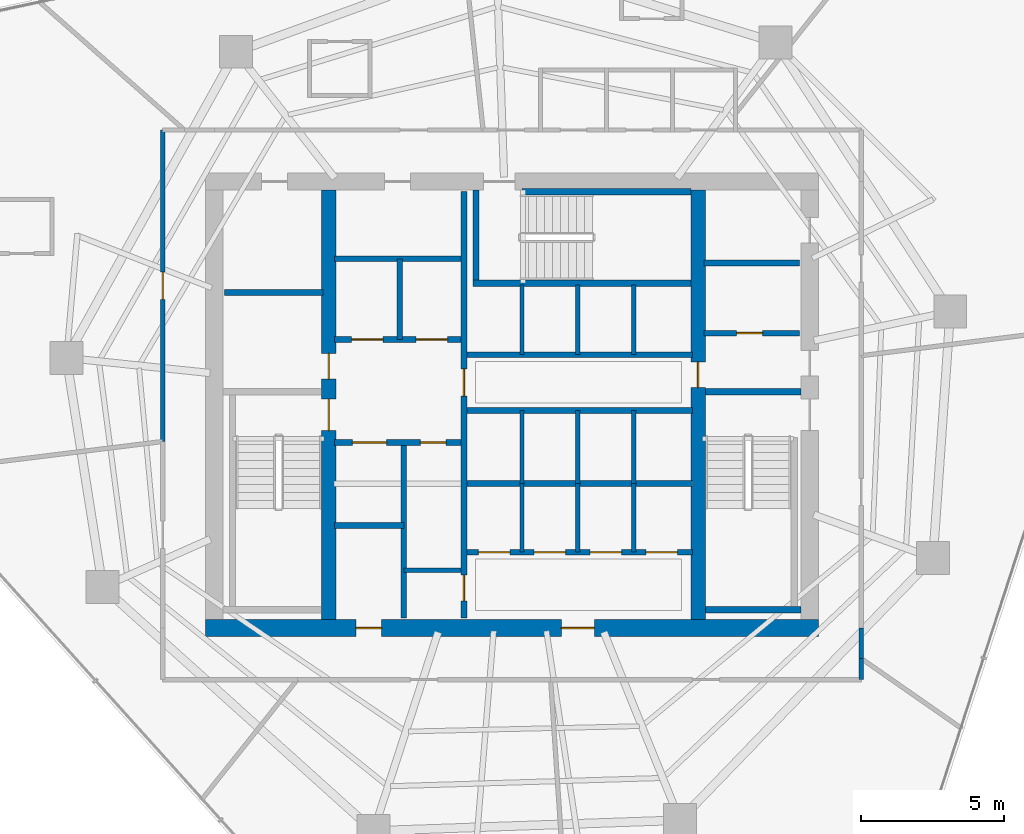
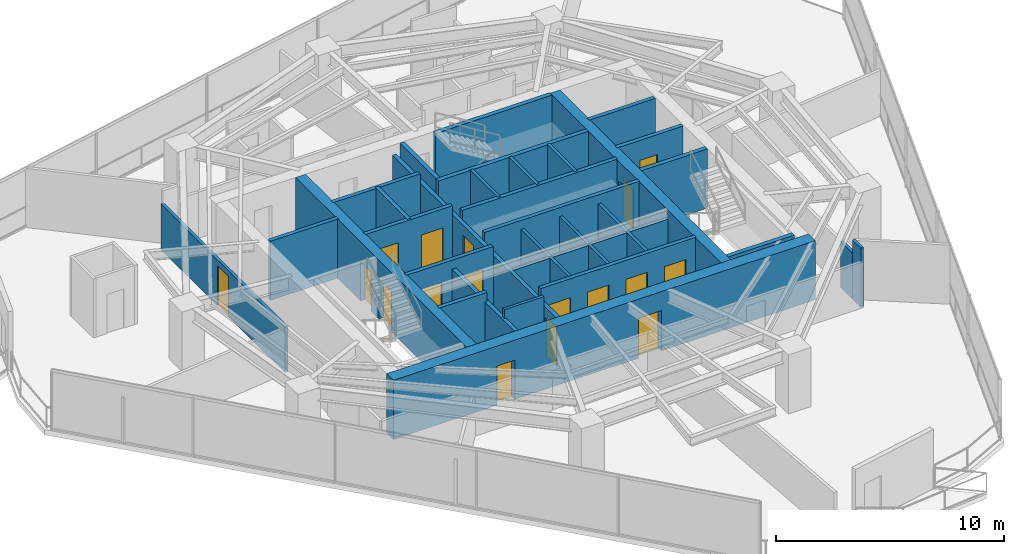
# One storey, part 23 of 27: 35 walls, 17 doors, 17 openings.
"""IFC4 building model written with IfcOpenShell, lengths in metres."""

import ifcopenshell
import ifcopenshell.guid

model = None  # the IFC model being written
_history = None  # IfcOwnerHistory: only IFC2X3 demands one
_inside = {}  # id of a spatial element -> (the spatial element, [elements in it])
_under = {}  # id of a project, library or spatial element -> (it, [spatial elements below it])
_declared = {}  # id of a project -> (the project, [libraries it declares])
_typed = {}  # id of a type object -> (the type object, [elements of that type])
_made_of = {}  # id of a material, layer set ... -> (it, [elements and type objects made of it])


def new_model(schema):
    """Start an empty IFC model of exactly this schema.

    Asked for "IFC4X3", IfcOpenShell would pick the latest addendum, in which some entities
    have other attributes; the version numbers below select the first issue.
    IFC2X3 requires an IfcOwnerHistory on every rooted entity: one is made here for all.
    """
    global model, _history
    if schema == "IFC4X3":
        model = ifcopenshell.file(schema_version=(4, 3, 0, 0))
    else:
        model = ifcopenshell.file(schema=schema)
    _inside.clear()
    _under.clear()
    _declared.clear()
    _typed.clear()
    _made_of.clear()
    _history = None
    if model.schema == "IFC2X3":
        org = make("IfcOrganization", Name="unknown")
        user = make(
            "IfcPersonAndOrganization",
            ThePerson=make("IfcPerson", FamilyName="unknown"),
            TheOrganization=org,
        )
        app = make(
            "IfcApplication",
            ApplicationDeveloper=org,
            Version="unknown",
            ApplicationFullName="unknown",
            ApplicationIdentifier="unknown",
        )
        _history = make(
            "IfcOwnerHistory",
            OwningUser=user,
            OwningApplication=app,
            ChangeAction="ADDED",
            CreationDate=0,
        )
    return model


def make(cls, **values):
    """One entity of the class cls with the attributes given. An attribute that is None is left unset."""
    return model.create_entity(
        cls, **{name: value for name, value in values.items() if value is not None}
    )


def rooted(cls, **values):
    """An entity with a GlobalId (a new one), such as an element, a storey or a relation."""
    return make(cls, GlobalId=ifcopenshell.guid.new(), OwnerHistory=_history, **values)


def si_unit(unit_type, name, prefix=None):
    """IfcSIUnit, for example si_unit("LENGTHUNIT", "METRE", prefix="MILLI")."""
    return make("IfcSIUnit", UnitType=unit_type, Prefix=prefix, Name=name)


def assignment(units):
    """IfcUnitAssignment: the units of a project."""
    return None if units is None else make("IfcUnitAssignment", Units=units)


def point(xyz):
    """IfcCartesianPoint."""
    return None if xyz is None else make("IfcCartesianPoint", Coordinates=xyz)


def direction(xyz):
    """IfcDirection."""
    return None if xyz is None else make("IfcDirection", DirectionRatios=xyz)


def frame(location, z_axis=None, x_axis=None):
    """IfcAxis2Placement3D, a coordinate frame: its origin and axes. An axis left out is left unset."""
    return make(
        "IfcAxis2Placement3D",
        Location=point(location),
        Axis=direction(z_axis),
        RefDirection=direction(x_axis),
    )


def frame_2d(location, x_axis=None):
    """IfcAxis2Placement2D, a coordinate frame in the plane: its origin and x axis."""
    return make(
        "IfcAxis2Placement2D", Location=point(location), RefDirection=direction(x_axis)
    )


def origin():
    """The frame at (0, 0, 0) with its axes left unset."""
    return frame((0.0, 0.0, 0.0))


def place(relative_to, where):
    """IfcLocalPlacement: puts the frame where relative to a parent placement (None: the world)."""
    return make(
        "IfcLocalPlacement", PlacementRelTo=relative_to, RelativePlacement=where
    )


def context(
    kind, dimensions, precision=None, world=None, true_north=None, identifier=None
):
    """IfcGeometricRepresentationContext, for example the 3D "Model" context."""
    return make(
        "IfcGeometricRepresentationContext",
        ContextIdentifier=identifier,
        ContextType=kind,
        CoordinateSpaceDimension=dimensions,
        Precision=precision,
        WorldCoordinateSystem=world,
        TrueNorth=true_north,
    )


def subcontext(parent, identifier, kind, view, scale=None):
    """IfcGeometricRepresentationSubContext, for example "Body" below "Model"."""
    return make(
        "IfcGeometricRepresentationSubContext",
        ContextIdentifier=identifier,
        ContextType=kind,
        ParentContext=parent,
        TargetScale=scale,
        TargetView=view,
    )


def project(units=None, contexts=None):
    """IfcProject with its units and contexts."""
    return rooted(
        "IfcProject",
        Name="project",
        RepresentationContexts=contexts,
        UnitsInContext=assignment(units),
    )


def spatial(cls, under=None, at=None, **own):
    """A site, building, storey or space (cls), placed at a placement, below another one or the project."""
    s = rooted(cls, ObjectPlacement=at, **own)
    if under is not None:
        _under.setdefault(under.id(), (under, []))[1].append(s)
    return s


def profile(cls, at=None, kind="AREA", **sizes):
    """A parametric profile (cls). Its sizes go by their IFC names, for example OverallWidth=200.0."""
    return make(cls, ProfileType=kind, Position=at, **sizes)


def rectangle(**sizes):
    """IfcRectangleProfileDef."""
    return profile("IfcRectangleProfileDef", **sizes)


def extrude(swept, where, along, depth):
    """IfcExtrudedAreaSolid: the profile swept, set in the frame where, extruded along a direction by depth."""
    return make(
        "IfcExtrudedAreaSolid",
        SweptArea=swept,
        Position=where,
        ExtrudedDirection=direction(along),
        Depth=depth,
    )


def shape(context_of_items, identifier, shape_type, items):
    """IfcShapeRepresentation: the items that make up one representation, for example the "Body"."""
    return make(
        "IfcShapeRepresentation",
        ContextOfItems=context_of_items,
        RepresentationIdentifier=identifier,
        RepresentationType=shape_type,
        Items=items,
    )


def material(Name=None, Category=None):
    """IfcMaterial."""
    return make("IfcMaterial", Name=Name, Category=Category)


def layer(
    of_material, thickness, ventilated=None, Name=None, Category=None, Priority=None
):
    """IfcMaterialLayer: one layer of a wall or slab, of a material (None: an air gap)."""
    return make(
        "IfcMaterialLayer",
        Material=of_material,
        LayerThickness=thickness,
        IsVentilated=ventilated,
        Name=Name,
        Category=Category,
        Priority=Priority,
    )


def layer_set(layers, Name=None):
    """IfcMaterialLayerSet."""
    return make("IfcMaterialLayerSet", MaterialLayers=layers, LayerSetName=Name)


def made_of(thing, what):
    """Note that an element or type object is made of a material, layer set ...; save() writes the relation."""
    if what is not None:
        _made_of.setdefault(what.id(), (what, []))[1].append(thing)
    return thing


def type_object(cls, material=None, **own):
    """A type object (cls), such as IfcWallType, which elements share."""
    return made_of(rooted(cls, **own), material)


def element(
    cls,
    number,
    at=None,
    inside=None,
    cuts=None,
    type_object=None,
    material=None,
    context=None,
    identifier="Body",
    shape_type=None,
    held_by="IfcProductDefinitionShape",
    body=None,
    shapes=None,
    **own,
):
    """One element of the class cls, such as IfcWall. Its Tag is "e" and its number.

    at: its placement. inside: the storey or other place that contains it. cuts: it is an
    opening in that element (IfcRelVoidsElement). A single representation is given by context,
    identifier, shape_type and body (its items); several are given by shapes. held_by: the class
    of the entity that holds the representations. save() writes the other relations.
    """
    e = rooted(cls, Tag="e%d" % number, ObjectPlacement=at, **own)
    if body is not None:
        shapes = [shape(context, identifier, shape_type, body)]
    if shapes is not None:
        e.Representation = make(held_by, Representations=shapes)
    if inside is not None:
        _inside.setdefault(inside.id(), (inside, []))[1].append(e)
    if cuts is not None:
        rooted(
            "IfcRelVoidsElement", RelatingBuildingElement=cuts, RelatedOpeningElement=e
        )
    if type_object is not None:
        _typed.setdefault(type_object.id(), (type_object, []))[1].append(e)
    return made_of(e, material)


def fill(opening, filler):
    """IfcRelFillsElement: the door or window that sits in an opening."""
    return rooted(
        "IfcRelFillsElement",
        RelatingOpeningElement=opening,
        RelatedBuildingElement=filler,
    )


def aggregate(whole, parts):
    """IfcRelAggregates: a whole, such as a stair, and the parts it consists of."""
    return rooted("IfcRelAggregates", RelatingObject=whole, RelatedObjects=parts)


def save(model, path):
    """Write the relations noted so far, then the file.

    IfcRelAggregates (storeys below a building ...), IfcRelContainedInSpatialStructure (elements
    in a storey), IfcRelDefinesByType, IfcRelAssociatesMaterial and IfcRelDeclares: one each for
    every whole, place, type object, material and project.
    """
    for whole, parts in _under.values():
        aggregate(whole, parts)
    for where, things in _inside.values():
        rooted(
            "IfcRelContainedInSpatialStructure",
            RelatedElements=things,
            RelatingStructure=where,
        )
    for kind, things in _typed.values():
        rooted("IfcRelDefinesByType", RelatedObjects=things, RelatingType=kind)
    for what, things in _made_of.values():
        rooted("IfcRelAssociatesMaterial", RelatedObjects=things, RelatingMaterial=what)
    for by, libraries in _declared.values():
        rooted("IfcRelDeclares", RelatingContext=by, RelatedDefinitions=libraries)
    model.write(path)


model = new_model("IFC4")

# Units and contexts
model_context = context("Model", 3, precision=1e-05, world=origin(), true_north=direction((0.0, 1.0)))
body_context = subcontext(model_context, "Body", "Model", "MODEL_VIEW")
ifc_project = project(units=[si_unit("LENGTHUNIT", "METRE"), si_unit("AREAUNIT", "SQUARE_METRE"), si_unit("VOLUMEUNIT", "CUBIC_METRE"), si_unit("PLANEANGLEUNIT", "RADIAN"), si_unit("MASSUNIT", "GRAM", prefix="KILO")], contexts=[model_context])

# Site, building, storey
site_placement = place(None, origin())
site = spatial("IfcSite", under=ifc_project, at=site_placement, CompositionType="ELEMENT")
building_placement = place(site_placement, origin())
building = spatial("IfcBuilding", under=site, at=building_placement, Name="Qarnah Convention Tower", CompositionType="ELEMENT")
storey_placement = place(building_placement, frame((0.0, 0.0, 110.85009765625)))
storey = spatial("IfcBuildingStorey", under=building, at=storey_placement, Name="L29", CompositionType="ELEMENT", Elevation=110.85009765625)

# Wall, openings, doors
ifc_material_1 = material(Name="Concrete C60/75", Category="concrete")
ifc_layer_1 = layer(ifc_material_1, 0.60009765625)
ifc_layer_set_1 = layer_set([ifc_layer_1], Name="Concrete C60/75")
wall_type_1 = type_object("IfcWallType", Name="WL-CORE-600", PredefinedType="SHEAR", material=ifc_layer_set_1)
wall_1_placement = place(storey_placement, frame((26.5, 18.60009765625, 0.0), z_axis=(0.0, 0.0, 1.0), x_axis=(1.0, 0.0, 0.0)))
wall_1 = element("IfcWall", 1, at=wall_1_placement, inside=storey, type_object=wall_type_1, Name="L29 core south shear wall", PredefinedType="SHEAR", context=body_context, shape_type="SweptSolid", body=[
    extrude(rectangle(XDim=21.39990234375, YDim=0.60009765625, at=frame_2d((10.699951171875, 0.0))), origin(), (0.0, 0.0, 1.0), 3.169921875),
])
opening_1_placement = place(wall_1_placement, frame((12.425048828125, 0.0, 0.0)))
opening_1 = element("IfcOpeningElement", 2, at=opening_1_placement, cuts=wall_1, Name="Opening D-2907", PredefinedType="OPENING", context=body_context, shape_type="SweptSolid", body=[
    extrude(rectangle(XDim=1.14990234375, YDim=2.14990234375, at=frame_2d((0.574951171875, 1.074951171875))), frame((0.0, 0.31005859375, 0.0), z_axis=(0.0, -1.0, 0.0), x_axis=(1.0, 0.0, 0.0)), (0.0, 0.0, 1.0), 0.6201171875),
])
opening_2_placement = place(wall_1_placement, frame((5.25, 0.0, 0.0)))
opening_2 = element("IfcOpeningElement", 3, at=opening_2_placement, cuts=wall_1, Name="Opening D-2913", PredefinedType="OPENING", context=body_context, shape_type="SweptSolid", body=[
    extrude(rectangle(XDim=0.89990234375, YDim=2.10009765625, at=frame_2d((0.449951171875, 1.050048828125))), frame((0.0, 0.31005859375, 0.0), z_axis=(0.0, -1.0, 0.0), x_axis=(1.0, 0.0, 0.0)), (0.0, 0.0, 1.0), 0.6201171875),
])
ifc_material_2 = material(Name="Structural steel S355JR", Category="steel")
door_type_1 = type_object("IfcDoorType", Name="DT-LOBBY-1150", OperationType="NOTDEFINED", PredefinedType="DOOR", material=ifc_material_2)
door_1_placement = place(opening_1_placement, origin())
door_1 = element("IfcDoor", 4, at=door_1_placement, inside=storey, type_object=door_type_1, Name="Door D-2907", OperationType="SINGLE_SWING_LEFT", OverallHeight=2.14990234375, OverallWidth=1.14990234375, PredefinedType="DOOR", context=body_context, shape_type="SweptSolid", body=[
    extrude(rectangle(XDim=1.14990234375, YDim=2.14990234375, at=frame_2d((0.574951171875, 1.074951171875))), frame((0.0, 0.02490234375, 0.0), z_axis=(0.0, -1.0, 0.0), x_axis=(1.0, 0.0, 0.0)), (0.0, 0.0, 1.0), 0.050048828125),
])
fill(opening_1, door_1)
door_type_2 = type_object("IfcDoorType", Name="DT-RISER-900", OperationType="NOTDEFINED", PredefinedType="DOOR", material=ifc_material_2)
door_2_placement = place(opening_2_placement, origin())
door_2 = element("IfcDoor", 5, at=door_2_placement, inside=storey, type_object=door_type_2, Name="Door D-2913", OperationType="SINGLE_SWING_LEFT", OverallHeight=2.10009765625, OverallWidth=0.89990234375, PredefinedType="DOOR", context=body_context, shape_type="SweptSolid", body=[
    extrude(rectangle(XDim=0.89990234375, YDim=2.10009765625, at=frame_2d((0.449951171875, 1.050048828125))), frame((0.0, 0.02490234375, 0.0), z_axis=(0.0, -1.0, 0.0), x_axis=(1.0, 0.0, 0.0)), (0.0, 0.0, 1.0), 0.050048828125),
])
fill(opening_2, door_2)

ifc_layer_2 = layer(ifc_material_1, 0.5)
ifc_layer_set_2 = layer_set([ifc_layer_2], Name="Concrete C60/75")
wall_type_2 = type_object("IfcWallType", Name="WL-CORE-INT-400", PredefinedType="SHEAR", material=ifc_layer_set_2)
wall_2_placement = place(storey_placement, frame((30.800048828125, 18.89990234375, 0.0), z_axis=(0.0, 0.0, 1.0), x_axis=(0.0, 1.0, 0.0)))
wall_2 = element("IfcWall", 6, at=wall_2_placement, inside=storey, type_object=wall_type_2, Name="L29 core west spine shear wall", PredefinedType="SHEAR", context=body_context, shape_type="SweptSolid", body=[
    extrude(rectangle(XDim=15.0, YDim=0.5, at=frame_2d((7.5, 0.0))), origin(), (0.0, 0.0, 1.0), 3.169921875),
])
opening_3_placement = place(wall_2_placement, frame((6.60009765625, 0.0, 0.0)))
opening_3 = element("IfcOpeningElement", 7, at=opening_3_placement, cuts=wall_2, Name="Opening D-2901", PredefinedType="OPENING", context=body_context, shape_type="SweptSolid", body=[
    extrude(rectangle(XDim=1.10009765625, YDim=2.14990234375, at=frame_2d((0.550048828125, 1.074951171875))), frame((0.0, 0.260009765625, 0.0), z_axis=(0.0, -1.0, 0.0), x_axis=(1.0, 0.0, 0.0)), (0.0, 0.0, 1.0), 0.52001953125),
])
opening_4_placement = place(wall_2_placement, frame((8.39990234375, 0.0, 0.0)))
opening_4 = element("IfcOpeningElement", 8, at=opening_4_placement, cuts=wall_2, Name="Opening D-2908", PredefinedType="OPENING", context=body_context, shape_type="SweptSolid", body=[
    extrude(rectangle(XDim=0.89990234375, YDim=2.10009765625, at=frame_2d((0.449951171875, 1.050048828125))), frame((0.0, 0.260009765625, 0.0), z_axis=(0.0, -1.0, 0.0), x_axis=(1.0, 0.0, 0.0)), (0.0, 0.0, 1.0), 0.52001953125),
])
door_3_placement = place(opening_4_placement, origin())
door_3 = element("IfcDoor", 9, at=door_3_placement, inside=storey, type_object=door_type_2, Name="Door D-2908", OperationType="SINGLE_SWING_RIGHT", OverallHeight=2.10009765625, OverallWidth=0.89990234375, PredefinedType="DOOR", context=body_context, shape_type="SweptSolid", body=[
    extrude(rectangle(XDim=0.89990234375, YDim=2.10009765625, at=frame_2d((0.449951171875, 1.050048828125))), frame((0.0, 0.02490234375, 0.0), z_axis=(0.0, -1.0, 0.0), x_axis=(1.0, 0.0, 0.0)), (0.0, 0.0, 1.0), 0.050048828125),
])
fill(opening_4, door_3)
door_type_3 = type_object("IfcDoorType", Name="DT-STAIR-1100", OperationType="NOTDEFINED", PredefinedType="DOOR", material=ifc_material_2)
door_4_placement = place(opening_3_placement, origin())
door_4 = element("IfcDoor", 10, at=door_4_placement, inside=storey, type_object=door_type_3, Name="Door D-2901", OperationType="SINGLE_SWING_LEFT", OverallHeight=2.14990234375, OverallWidth=1.10009765625, PredefinedType="DOOR", context=body_context, shape_type="SweptSolid", body=[
    extrude(rectangle(XDim=1.10009765625, YDim=2.14990234375, at=frame_2d((0.550048828125, 1.074951171875))), frame((0.0, 0.02490234375, 0.0), z_axis=(0.0, -1.0, 0.0), x_axis=(1.0, 0.0, 0.0)), (0.0, 0.0, 1.0), 0.050048828125),
])
fill(opening_3, door_4)

# Wall, opening, door
wall_3_placement = place(storey_placement, frame((43.699951171875, 18.89990234375, 0.0), z_axis=(0.0, 0.0, 1.0), x_axis=(0.0, 1.0, 0.0)))
wall_3 = element("IfcWall", 11, at=wall_3_placement, inside=storey, type_object=wall_type_2, Name="L29 core east spine shear wall", PredefinedType="SHEAR", context=body_context, shape_type="SweptSolid", body=[
    extrude(rectangle(XDim=15.0, YDim=0.5, at=frame_2d((7.5, 0.0))), origin(), (0.0, 0.0, 1.0), 3.169921875),
])
opening_5_placement = place(wall_3_placement, frame((8.10009765625, 0.0, 0.0)))
opening_5 = element("IfcOpeningElement", 12, at=opening_5_placement, cuts=wall_3, Name="Opening D-2905", PredefinedType="OPENING", context=body_context, shape_type="SweptSolid", body=[
    extrude(rectangle(XDim=0.89990234375, YDim=2.10009765625, at=frame_2d((0.449951171875, 1.050048828125))), frame((0.0, 0.260009765625, 0.0), z_axis=(0.0, -1.0, 0.0), x_axis=(1.0, 0.0, 0.0)), (0.0, 0.0, 1.0), 0.52001953125),
])
door_5_placement = place(opening_5_placement, origin())
door_5 = element("IfcDoor", 13, at=door_5_placement, inside=storey, type_object=door_type_2, Name="Door D-2905", OperationType="SINGLE_SWING_LEFT", OverallHeight=2.10009765625, OverallWidth=0.89990234375, PredefinedType="DOOR", context=body_context, shape_type="SweptSolid", body=[
    extrude(rectangle(XDim=0.89990234375, YDim=2.10009765625, at=frame_2d((0.449951171875, 1.050048828125))), frame((0.0, 0.02490234375, 0.0), z_axis=(0.0, -1.0, 0.0), x_axis=(1.0, 0.0, 0.0)), (0.0, 0.0, 1.0), 0.050048828125),
])
fill(opening_5, door_5)

# Wall
ifc_material_3 = material(Name="Concrete C45/55", Category="concrete")
ifc_layer_3 = layer(ifc_material_3, 0.199951171875)
ifc_layer_set_3 = layer_set([ifc_layer_3], Name="Concrete C45/55")
wall_type_3 = type_object("IfcWallType", Name="WL-CORE-PART-200", PredefinedType="SOLIDWALL", material=ifc_layer_set_3)
wall_4_placement = place(storey_placement, frame((27.14990234375, 30.320068359375, 0.0), z_axis=(0.0, 0.0, 1.0), x_axis=(1.0, 0.0, 0.0)))
element("IfcWall", 14, at=wall_4_placement, inside=storey, type_object=wall_type_3, Name="L29 interior wall IW-L29-ELRN", PredefinedType="SOLIDWALL", context=body_context, shape_type="SweptSolid", body=[
    extrude(rectangle(XDim=3.4501953125, YDim=0.199951171875, at=frame_2d((1.72509765625, 0.0))), origin(), (0.0, 0.0, 1.0), 3.169921875),
])

# Wall, opening, door
wall_5_placement = place(storey_placement, frame((43.89990234375, 28.89990234375, 0.0), z_axis=(0.0, 0.0, 1.0), x_axis=(1.0, 0.0, 0.0)))
wall_5 = element("IfcWall", 15, at=wall_5_placement, inside=storey, type_object=wall_type_3, Name="L29 interior wall IW-L29-EVSTN", PredefinedType="SOLIDWALL", context=body_context, shape_type="SweptSolid", body=[
    extrude(rectangle(XDim=3.35009765625, YDim=0.199951171875, at=frame_2d((1.675048828125, 0.0))), origin(), (0.0, 0.0, 1.0), 3.169921875),
])
opening_6_placement = place(wall_5_placement, frame((1.14990234375, 0.0, 0.0)))
opening_6 = element("IfcOpeningElement", 16, at=opening_6_placement, cuts=wall_5, Name="Opening D-2911", PredefinedType="OPENING", context=body_context, shape_type="SweptSolid", body=[
    extrude(rectangle(XDim=0.89990234375, YDim=2.10009765625, at=frame_2d((0.449951171875, 1.050048828125))), frame((0.0, 0.10986328125, 0.0), z_axis=(0.0, -1.0, 0.0), x_axis=(1.0, 0.0, 0.0)), (0.0, 0.0, 1.0), 0.219970703125),
])
door_6_placement = place(opening_6_placement, origin())
door_6 = element("IfcDoor", 17, at=door_6_placement, inside=storey, type_object=door_type_2, Name="Door D-2911", OperationType="SINGLE_SWING_LEFT", OverallHeight=2.10009765625, OverallWidth=0.89990234375, PredefinedType="DOOR", context=body_context, shape_type="SweptSolid", body=[
    extrude(rectangle(XDim=0.89990234375, YDim=2.10009765625, at=frame_2d((0.449951171875, 1.050048828125))), frame((0.0, 0.02490234375, 0.0), z_axis=(0.0, -1.0, 0.0), x_axis=(1.0, 0.0, 0.0)), (0.0, 0.0, 1.0), 0.050048828125),
])
fill(opening_6, door_6)

# Wall
wall_6_placement = place(storey_placement, frame((43.89990234375, 31.35009765625, 0.0), z_axis=(0.0, 0.0, 1.0), x_axis=(1.0, 0.0, 0.0)))
element("IfcWall", 18, at=wall_6_placement, inside=storey, type_object=wall_type_3, Name="L29 interior wall IW-L29-WTRN", PredefinedType="SOLIDWALL", context=body_context, shape_type="SweptSolid", body=[
    extrude(rectangle(XDim=3.35009765625, YDim=0.199951171875, at=frame_2d((1.675048828125, 0.0))), origin(), (0.0, 0.0, 1.0), 3.169921875),
])

# Wall, openings, doors
wall_7_placement = place(storey_placement, frame((35.52001953125, 18.949951171875, 0.0), z_axis=(0.0, 0.0, 1.0), x_axis=(0.0, 1.0, 0.0)))
wall_7 = element("IfcWall", 19, at=wall_7_placement, inside=storey, type_object=wall_type_3, Name="L29 interior wall IW-L29-CSP", PredefinedType="SOLIDWALL", context=body_context, shape_type="SweptSolid", body=[
    extrude(rectangle(XDim=14.900146484375, YDim=0.199951171875, at=frame_2d((7.4501953125, 0.0))), origin(), (0.0, 0.0, 1.0), 2.69091796875),
])
opening_7_placement = place(wall_7_placement, frame((7.7548828125, 0.0, 0.0)))
opening_7 = element("IfcOpeningElement", 20, at=opening_7_placement, cuts=wall_7, Name="Opening D-2904", PredefinedType="OPENING", context=body_context, shape_type="SweptSolid", body=[
    extrude(rectangle(XDim=0.949951171875, YDim=2.14990234375, at=frame_2d((0.47509765625, 1.074951171875))), frame((0.0, 0.10986328125, 0.0), z_axis=(0.0, -1.0, 0.0), x_axis=(1.0, 0.0, 0.0)), (0.0, 0.0, 1.0), 0.219970703125),
])
opening_8_placement = place(wall_7_placement, frame((0.60009765625, 0.0, 0.0)))
opening_8 = element("IfcOpeningElement", 21, at=opening_8_placement, cuts=wall_7, Name="Opening D-2914", PredefinedType="OPENING", context=body_context, shape_type="SweptSolid", body=[
    extrude(rectangle(XDim=0.89990234375, YDim=2.10009765625, at=frame_2d((0.449951171875, 1.050048828125))), frame((0.0, 0.10986328125, 0.0), z_axis=(0.0, -1.0, 0.0), x_axis=(1.0, 0.0, 0.0)), (0.0, 0.0, 1.0), 0.219970703125),
])
ifc_material_4 = material(Name="Oak timber veneer", Category="wood")
door_type_4 = type_object("IfcDoorType", Name="DT-HOTEL-950", OperationType="NOTDEFINED", PredefinedType="DOOR", material=ifc_material_4)
door_7_placement = place(opening_7_placement, origin())
door_7 = element("IfcDoor", 22, at=door_7_placement, inside=storey, type_object=door_type_4, Name="Door D-2904", OperationType="SINGLE_SWING_RIGHT", OverallHeight=2.14990234375, OverallWidth=0.949951171875, PredefinedType="DOOR", context=body_context, shape_type="SweptSolid", body=[
    extrude(rectangle(XDim=0.949951171875, YDim=2.14990234375, at=frame_2d((0.47509765625, 1.074951171875))), frame((0.0, 0.02490234375, 0.0), z_axis=(0.0, -1.0, 0.0), x_axis=(1.0, 0.0, 0.0)), (0.0, 0.0, 1.0), 0.050048828125),
])
fill(opening_7, door_7)
door_8_placement = place(opening_8_placement, origin())
door_8 = element("IfcDoor", 23, at=door_8_placement, inside=storey, type_object=door_type_2, Name="Door D-2914", OperationType="SINGLE_SWING_RIGHT", OverallHeight=2.10009765625, OverallWidth=0.89990234375, PredefinedType="DOOR", context=body_context, shape_type="SweptSolid", body=[
    extrude(rectangle(XDim=0.89990234375, YDim=2.10009765625, at=frame_2d((0.449951171875, 1.050048828125))), frame((0.0, 0.02490234375, 0.0), z_axis=(0.0, -1.0, 0.0), x_axis=(1.0, 0.0, 0.0)), (0.0, 0.0, 1.0), 0.050048828125),
])
fill(opening_8, door_8)

wall_8_placement = place(storey_placement, frame((31.0, 28.679931640625, 0.0), z_axis=(0.0, 0.0, 1.0), x_axis=(1.0, 0.0, 0.0)))
wall_8 = element("IfcWall", 24, at=wall_8_placement, inside=storey, type_object=wall_type_3, Name="L29 interior wall IW-L29-FFLS", PredefinedType="SOLIDWALL", context=body_context, shape_type="SweptSolid", body=[
    extrude(rectangle(XDim=4.419921875, YDim=0.199951171875, at=frame_2d((2.2099609375, 0.0))), origin(), (0.0, 0.0, 1.0), 3.169921875),
])
opening_9_placement = place(wall_8_placement, frame((0.60009765625, 0.0, 0.0)))
opening_9 = element("IfcOpeningElement", 25, at=opening_9_placement, cuts=wall_8, Name="Opening LD-2901", PredefinedType="OPENING", context=body_context, shape_type="SweptSolid", body=[
    extrude(rectangle(XDim=1.10009765625, YDim=2.14990234375, at=frame_2d((0.550048828125, 1.074951171875))), frame((0.0, 0.10986328125, 0.0), z_axis=(0.0, -1.0, 0.0), x_axis=(1.0, 0.0, 0.0)), (0.0, 0.0, 1.0), 0.219970703125),
])
opening_10_placement = place(wall_8_placement, frame((2.85009765625, 0.0, 0.0)))
opening_10 = element("IfcOpeningElement", 26, at=opening_10_placement, cuts=wall_8, Name="Opening LD-2902", PredefinedType="OPENING", context=body_context, shape_type="SweptSolid", body=[
    extrude(rectangle(XDim=1.10009765625, YDim=2.14990234375, at=frame_2d((0.550048828125, 1.074951171875))), frame((0.0, 0.10986328125, 0.0), z_axis=(0.0, -1.0, 0.0), x_axis=(1.0, 0.0, 0.0)), (0.0, 0.0, 1.0), 0.219970703125),
])
door_type_5 = type_object("IfcDoorType", Name="DT-LIFT-1100", OperationType="SLIDING_TO_LEFT", PredefinedType="DOOR", material=ifc_material_2)
door_9_placement = place(opening_9_placement, origin())
door_9 = element("IfcDoor", 27, at=door_9_placement, inside=storey, type_object=door_type_5, Name="Door LD-2901", OperationType="SLIDING_TO_LEFT", OverallHeight=2.14990234375, OverallWidth=1.10009765625, PredefinedType="DOOR", context=body_context, shape_type="SweptSolid", body=[
    extrude(rectangle(XDim=1.10009765625, YDim=2.14990234375, at=frame_2d((0.550048828125, 1.074951171875))), frame((0.0, 0.02490234375, 0.0), z_axis=(0.0, -1.0, 0.0), x_axis=(1.0, 0.0, 0.0)), (0.0, 0.0, 1.0), 0.050048828125),
])
fill(opening_9, door_9)
door_10_placement = place(opening_10_placement, origin())
door_10 = element("IfcDoor", 28, at=door_10_placement, inside=storey, type_object=door_type_5, Name="Door LD-2902", OperationType="SLIDING_TO_LEFT", OverallHeight=2.14990234375, OverallWidth=1.10009765625, PredefinedType="DOOR", context=body_context, shape_type="SweptSolid", body=[
    extrude(rectangle(XDim=1.10009765625, YDim=2.14990234375, at=frame_2d((0.550048828125, 1.074951171875))), frame((0.0, 0.02490234375, 0.0), z_axis=(0.0, -1.0, 0.0), x_axis=(1.0, 0.0, 0.0)), (0.0, 0.0, 1.0), 0.050048828125),
])
fill(opening_10, door_10)

# Walls
wall_9_placement = place(storey_placement, frame((31.0, 31.5, 0.0), z_axis=(0.0, 0.0, 1.0), x_axis=(1.0, 0.0, 0.0)))
element("IfcWall", 29, at=wall_9_placement, inside=storey, type_object=wall_type_3, Name="L29 interior wall IW-L29-FFLN", PredefinedType="SOLIDWALL", context=body_context, shape_type="SweptSolid", body=[
    extrude(rectangle(XDim=4.419921875, YDim=0.199951171875, at=frame_2d((2.2099609375, 0.0))), origin(), (0.0, 0.0, 1.0), 3.169921875),
])
wall_10_placement = place(storey_placement, frame((33.280029296875, 28.679931640625, 0.0), z_axis=(0.0, 0.0, 1.0), x_axis=(0.0, 1.0, 0.0)))
element("IfcWall", 30, at=wall_10_placement, inside=storey, type_object=wall_type_3, Name="L29 interior wall IW-L29-FFLM", PredefinedType="SOLIDWALL", context=body_context, shape_type="SweptSolid", body=[
    extrude(rectangle(XDim=2.820068359375, YDim=0.199951171875, at=frame_2d((1.41015625, 0.0))), origin(), (0.0, 0.0, 1.0), 3.169921875),
])

# Wall, openings, doors
wall_11_placement = place(storey_placement, frame((31.0, 25.080078125, 0.0), z_axis=(0.0, 0.0, 1.0), x_axis=(1.0, 0.0, 0.0)))
wall_11 = element("IfcWall", 31, at=wall_11_placement, inside=storey, type_object=wall_type_3, Name="L29 interior wall IW-L29-FFLBS", PredefinedType="SOLIDWALL", context=body_context, shape_type="SweptSolid", body=[
    extrude(rectangle(XDim=4.419921875, YDim=0.199951171875, at=frame_2d((2.2099609375, 0.0))), origin(), (0.0, 0.0, 1.0), 3.169921875),
])
opening_11_placement = place(wall_11_placement, frame((3.0, 0.0, 0.0)))
opening_11 = element("IfcOpeningElement", 32, at=opening_11_placement, cuts=wall_11, Name="Opening D-2915", PredefinedType="OPENING", context=body_context, shape_type="SweptSolid", body=[
    extrude(rectangle(XDim=0.89990234375, YDim=2.10009765625, at=frame_2d((0.449951171875, 1.050048828125))), frame((0.0, 0.10986328125, 0.0), z_axis=(0.0, -1.0, 0.0), x_axis=(1.0, 0.0, 0.0)), (0.0, 0.0, 1.0), 0.219970703125),
])
opening_12_placement = place(wall_11_placement, frame((0.6201171875, 0.0, 0.0)))
opening_12 = element("IfcOpeningElement", 33, at=opening_12_placement, cuts=wall_11, Name="Opening LD-2903", PredefinedType="OPENING", context=body_context, shape_type="SweptSolid", body=[
    extrude(rectangle(XDim=1.199951171875, YDim=2.14990234375, at=frame_2d((0.60009765625, 1.074951171875))), frame((0.0, 0.10986328125, 0.0), z_axis=(0.0, -1.0, 0.0), x_axis=(1.0, 0.0, 0.0)), (0.0, 0.0, 1.0), 0.219970703125),
])
door_type_6 = type_object("IfcDoorType", Name="DT-LIFT-1200", OperationType="SLIDING_TO_LEFT", PredefinedType="DOOR", material=ifc_material_2)
door_11_placement = place(opening_12_placement, origin())
door_11 = element("IfcDoor", 34, at=door_11_placement, inside=storey, type_object=door_type_6, Name="Door LD-2903", OperationType="SLIDING_TO_LEFT", OverallHeight=2.14990234375, OverallWidth=1.199951171875, PredefinedType="DOOR", context=body_context, shape_type="SweptSolid", body=[
    extrude(rectangle(XDim=1.199951171875, YDim=2.14990234375, at=frame_2d((0.60009765625, 1.074951171875))), frame((0.0, 0.02490234375, 0.0), z_axis=(0.0, -1.0, 0.0), x_axis=(1.0, 0.0, 0.0)), (0.0, 0.0, 1.0), 0.050048828125),
])
fill(opening_12, door_11)
door_12_placement = place(opening_11_placement, origin())
door_12 = element("IfcDoor", 35, at=door_12_placement, inside=storey, type_object=door_type_2, Name="Door D-2915", OperationType="SINGLE_SWING_LEFT", OverallHeight=2.10009765625, OverallWidth=0.89990234375, PredefinedType="DOOR", context=body_context, shape_type="SweptSolid", body=[
    extrude(rectangle(XDim=0.89990234375, YDim=2.10009765625, at=frame_2d((0.449951171875, 1.050048828125))), frame((0.0, 0.02490234375, 0.0), z_axis=(0.0, -1.0, 0.0), x_axis=(1.0, 0.0, 0.0)), (0.0, 0.0, 1.0), 0.050048828125),
])
fill(opening_11, door_12)

# Walls
wall_12_placement = place(storey_placement, frame((33.419921875, 18.949951171875, 0.0), z_axis=(0.0, 0.0, 1.0), x_axis=(0.0, 1.0, 0.0)))
element("IfcWall", 36, at=wall_12_placement, inside=storey, type_object=wall_type_3, Name="L29 interior wall IW-L29-SVLE", PredefinedType="SOLIDWALL", context=body_context, shape_type="SweptSolid", body=[
    extrude(rectangle(XDim=6.130126953125, YDim=0.199951171875, at=frame_2d((3.06494140625, 0.0))), origin(), (0.0, 0.0, 1.0), 2.69091796875),
])
wall_13_placement = place(storey_placement, frame((31.0, 22.179931640625, 0.0), z_axis=(0.0, 0.0, 1.0), x_axis=(1.0, 0.0, 0.0)))
element("IfcWall", 37, at=wall_13_placement, inside=storey, type_object=wall_type_3, Name="L29 interior wall IW-L29-SVLS", PredefinedType="SOLIDWALL", context=body_context, shape_type="SweptSolid", body=[
    extrude(rectangle(XDim=2.419921875, YDim=0.199951171875, at=frame_2d((1.2099609375, 0.0))), origin(), (0.0, 0.0, 1.0), 3.169921875),
])
for number, where, z_axis, x_axis, name in (
    (38, (35.6201171875, 28.14990234375, 0.0), (0.0, 0.0, 1.0), (1.0, 0.0, 0.0), "L29 interior wall IW-L29-PHS"),
    (39, (35.6201171875, 26.199951171875, 0.0), (0.0, 0.0, 1.0), (1.0, 0.0, 0.0), "L29 interior wall IW-L29-PMN"),
):
    element("IfcWall", number, at=place(storey_placement, frame(where, z_axis=z_axis, x_axis=x_axis)), inside=storey, type_object=wall_type_3, Name=name, PredefinedType="SOLIDWALL", context=body_context, shape_type="SweptSolid", body=[
        extrude(rectangle(XDim=7.8798828125, YDim=0.199951171875, at=frame_2d((3.93994140625, 0.0))), origin(), (0.0, 0.0, 1.0), 3.169921875),
    ])
wall_14_placement = place(storey_placement, frame((35.6201171875, 23.64990234375, 0.0), z_axis=(0.0, 0.0, 1.0), x_axis=(1.0, 0.0, 0.0)))
element("IfcWall", 40, at=wall_14_placement, inside=storey, type_object=wall_type_3, Name="L29 interior wall IW-L29-PMPL", PredefinedType="SOLIDWALL", context=body_context, shape_type="SweptSolid", body=[
    extrude(rectangle(XDim=7.8798828125, YDim=0.199951171875, at=frame_2d((3.93994140625, 0.0))), origin(), (0.0, 0.0, 1.0), 2.69091796875),
])

# Wall, openings, doors
wall_15_placement = place(storey_placement, frame((35.6201171875, 21.25, 0.0), z_axis=(0.0, 0.0, 1.0), x_axis=(1.0, 0.0, 0.0)))
wall_15 = element("IfcWall", 41, at=wall_15_placement, inside=storey, type_object=wall_type_3, Name="L29 interior wall IW-L29-PLS", PredefinedType="SOLIDWALL", context=body_context, shape_type="SweptSolid", body=[
    extrude(rectangle(XDim=7.8798828125, YDim=0.199951171875, at=frame_2d((3.93994140625, 0.0))), origin(), (0.0, 0.0, 1.0), 3.169921875),
])
opening_13_placement = place(wall_15_placement, frame((0.405029296875, 0.0, 0.0)))
opening_13 = element("IfcOpeningElement", 42, at=opening_13_placement, cuts=wall_15, Name="Opening LD-2904", PredefinedType="OPENING", context=body_context, shape_type="SweptSolid", body=[
    extrude(rectangle(XDim=1.10009765625, YDim=2.14990234375, at=frame_2d((0.550048828125, 1.074951171875))), frame((0.0, 0.10986328125, 0.0), z_axis=(0.0, -1.0, 0.0), x_axis=(1.0, 0.0, 0.0)), (0.0, 0.0, 1.0), 0.219970703125),
])
opening_14_placement = place(wall_15_placement, frame((2.35498046875, 0.0, 0.0)))
opening_14 = element("IfcOpeningElement", 43, at=opening_14_placement, cuts=wall_15, Name="Opening LD-2905", PredefinedType="OPENING", context=body_context, shape_type="SweptSolid", body=[
    extrude(rectangle(XDim=1.10009765625, YDim=2.14990234375, at=frame_2d((0.550048828125, 1.074951171875))), frame((0.0, 0.10986328125, 0.0), z_axis=(0.0, -1.0, 0.0), x_axis=(1.0, 0.0, 0.0)), (0.0, 0.0, 1.0), 0.219970703125),
])
opening_15_placement = place(wall_15_placement, frame((4.304931640625, 0.0, 0.0)))
opening_15 = element("IfcOpeningElement", 44, at=opening_15_placement, cuts=wall_15, Name="Opening LD-2906", PredefinedType="OPENING", context=body_context, shape_type="SweptSolid", body=[
    extrude(rectangle(XDim=1.10009765625, YDim=2.14990234375, at=frame_2d((0.550048828125, 1.074951171875))), frame((0.0, 0.10986328125, 0.0), z_axis=(0.0, -1.0, 0.0), x_axis=(1.0, 0.0, 0.0)), (0.0, 0.0, 1.0), 0.219970703125),
])
opening_16_placement = place(wall_15_placement, frame((6.2548828125, 0.0, 0.0)))
opening_16 = element("IfcOpeningElement", 45, at=opening_16_placement, cuts=wall_15, Name="Opening LD-2907", PredefinedType="OPENING", context=body_context, shape_type="SweptSolid", body=[
    extrude(rectangle(XDim=1.10009765625, YDim=2.14990234375, at=frame_2d((0.550048828125, 1.074951171875))), frame((0.0, 0.10986328125, 0.0), z_axis=(0.0, -1.0, 0.0), x_axis=(1.0, 0.0, 0.0)), (0.0, 0.0, 1.0), 0.219970703125),
])
door_13_placement = place(opening_13_placement, origin())
door_13 = element("IfcDoor", 46, at=door_13_placement, inside=storey, type_object=door_type_5, Name="Door LD-2904", OperationType="SLIDING_TO_LEFT", OverallHeight=2.14990234375, OverallWidth=1.10009765625, PredefinedType="DOOR", context=body_context, shape_type="SweptSolid", body=[
    extrude(rectangle(XDim=1.10009765625, YDim=2.14990234375, at=frame_2d((0.550048828125, 1.074951171875))), frame((0.0, 0.02490234375, 0.0), z_axis=(0.0, -1.0, 0.0), x_axis=(1.0, 0.0, 0.0)), (0.0, 0.0, 1.0), 0.050048828125),
])
fill(opening_13, door_13)
door_14_placement = place(opening_14_placement, origin())
door_14 = element("IfcDoor", 47, at=door_14_placement, inside=storey, type_object=door_type_5, Name="Door LD-2905", OperationType="SLIDING_TO_LEFT", OverallHeight=2.14990234375, OverallWidth=1.10009765625, PredefinedType="DOOR", context=body_context, shape_type="SweptSolid", body=[
    extrude(rectangle(XDim=1.10009765625, YDim=2.14990234375, at=frame_2d((0.550048828125, 1.074951171875))), frame((0.0, 0.02490234375, 0.0), z_axis=(0.0, -1.0, 0.0), x_axis=(1.0, 0.0, 0.0)), (0.0, 0.0, 1.0), 0.050048828125),
])
fill(opening_14, door_14)
door_15_placement = place(opening_15_placement, origin())
door_15 = element("IfcDoor", 48, at=door_15_placement, inside=storey, type_object=door_type_5, Name="Door LD-2906", OperationType="SLIDING_TO_LEFT", OverallHeight=2.14990234375, OverallWidth=1.10009765625, PredefinedType="DOOR", context=body_context, shape_type="SweptSolid", body=[
    extrude(rectangle(XDim=1.10009765625, YDim=2.14990234375, at=frame_2d((0.550048828125, 1.074951171875))), frame((0.0, 0.02490234375, 0.0), z_axis=(0.0, -1.0, 0.0), x_axis=(1.0, 0.0, 0.0)), (0.0, 0.0, 1.0), 0.050048828125),
])
fill(opening_15, door_15)
door_16_placement = place(opening_16_placement, origin())
door_16 = element("IfcDoor", 49, at=door_16_placement, inside=storey, type_object=door_type_5, Name="Door LD-2907", OperationType="SLIDING_TO_LEFT", OverallHeight=2.14990234375, OverallWidth=1.10009765625, PredefinedType="DOOR", context=body_context, shape_type="SweptSolid", body=[
    extrude(rectangle(XDim=1.10009765625, YDim=2.14990234375, at=frame_2d((0.550048828125, 1.074951171875))), frame((0.0, 0.02490234375, 0.0), z_axis=(0.0, -1.0, 0.0), x_axis=(1.0, 0.0, 0.0)), (0.0, 0.0, 1.0), 0.050048828125),
])
fill(opening_16, door_16)

# Walls
ifc_layer_4 = layer(ifc_material_1, 0.219970703125)
ifc_layer_set_4 = layer_set([ifc_layer_4], Name="Concrete C60/75")
wall_type_4 = type_object("IfcWallType", Name="WL-CORE-STAIR-220", PredefinedType="SHEAR", material=ifc_layer_set_4)
for number, where, z_axis, x_axis, name in (
    (50, (43.949951171875, 26.860107421875, 0.0), (0.0, 0.0, 1.0), (1.0, 0.0, 0.0), "L29 stair shaft shear wall SW-L29-ST2N"),
    (51, (43.949951171875, 19.239990234375, 0.0), (0.0, 0.0, 1.0), (1.0, 0.0, 0.0), "L29 stair shaft shear wall SW-L29-ST2S"),
):
    element("IfcWall", number, at=place(storey_placement, frame(where, z_axis=z_axis, x_axis=x_axis)), inside=storey, type_object=wall_type_4, Name=name, PredefinedType="SHEAR", context=body_context, shape_type="SweptSolid", body=[
        extrude(rectangle(XDim=3.35009765625, YDim=0.219970703125, at=frame_2d((1.675048828125, 0.0))), origin(), (0.0, 0.0, 1.0), 3.169921875),
    ])
wall_16_placement = place(storey_placement, frame((35.840087890625, 30.639892578125, 0.0), z_axis=(0.0, 0.0, 1.0), x_axis=(1.0, 0.0, 0.0)))
element("IfcWall", 52, at=wall_16_placement, inside=storey, type_object=wall_type_4, Name="L29 stair shaft shear wall SW-L29-ST3S", PredefinedType="SHEAR", context=body_context, shape_type="SweptSolid", body=[
    extrude(rectangle(XDim=7.60986328125, YDim=0.219970703125, at=frame_2d((3.804931640625, 0.0))), origin(), (0.0, 0.0, 1.0), 3.169921875),
])
wall_17_placement = place(storey_placement, frame((35.93994140625, 30.75, 0.0), z_axis=(0.0, 0.0, 1.0), x_axis=(0.0, 1.0, 0.0)))
element("IfcWall", 53, at=wall_17_placement, inside=storey, type_object=wall_type_4, Name="L29 stair shaft shear wall SW-L29-ST3W", PredefinedType="SHEAR", context=body_context, shape_type="SweptSolid", body=[
    extrude(rectangle(XDim=3.14990234375, YDim=0.219970703125, at=frame_2d((1.574951171875, 0.0))), origin(), (0.0, 0.0, 1.0), 3.169921875),
])
wall_18_placement = place(storey_placement, frame((37.550048828125, 33.840087890625, 0.0), z_axis=(0.0, 0.0, 1.0), x_axis=(1.0, 0.0, 0.0)))
element("IfcWall", 54, at=wall_18_placement, inside=storey, type_object=wall_type_4, Name="L29 stair shaft shear wall SW-L29-ST3N", PredefinedType="SHEAR", context=body_context, shape_type="SweptSolid", body=[
    extrude(rectangle(XDim=5.89990234375, YDim=0.219970703125, at=frame_2d((2.949951171875, 0.0))), origin(), (0.0, 0.0, 1.0), 3.169921875),
])
ifc_material_5 = material(Name="Gypsum partition board")
ifc_layer_5 = layer(ifc_material_5, 0.14990234375)
ifc_layer_set_5 = layer_set([ifc_layer_5], Name="Gypsum partition board")
wall_type_5 = type_object("IfcWallType", Name="WL-SUITE-150", PredefinedType="PARTITIONING", material=ifc_layer_set_5)
wall_19_placement = place(storey_placement, frame((33.419921875, 20.6201171875, 0.0), z_axis=(0.0, 0.0, 1.0), x_axis=(1.0, 0.0, 0.0)))
element("IfcWall", 55, at=wall_19_placement, inside=storey, type_object=wall_type_5, Name="L29 interior wall IW-L29-CSV1", PredefinedType="PARTITIONING", context=body_context, shape_type="SweptSolid", body=[
    extrude(rectangle(XDim=2.0, YDim=0.14990234375, at=frame_2d((1.0, 0.0))), origin(), (0.0, 0.0, 1.0), 3.169921875),
])
for number, where, z_axis, x_axis, name in (
    (56, (37.550048828125, 28.14990234375, 0.0), (0.0, 0.0, 1.0), (0.0, 1.0, 0.0), "L29 interior wall IW-L29-PHD1"),
    (57, (39.5, 28.14990234375, 0.0), (0.0, 0.0, 1.0), (0.0, 1.0, 0.0), "L29 interior wall IW-L29-PHD2"),
    (58, (41.449951171875, 28.14990234375, 0.0), (0.0, 0.0, 1.0), (0.0, 1.0, 0.0), "L29 interior wall IW-L29-PHD3"),
):
    element("IfcWall", number, at=place(storey_placement, frame(where, z_axis=z_axis, x_axis=x_axis)), inside=storey, type_object=wall_type_5, Name=name, PredefinedType="PARTITIONING", context=body_context, shape_type="SweptSolid", body=[
        extrude(rectangle(XDim=2.43017578125, YDim=0.14990234375, at=frame_2d((1.215087890625, 0.0))), origin(), (0.0, 0.0, 1.0), 3.169921875),
    ])
for number, where, z_axis, x_axis, name in (
    (59, (37.550048828125, 23.64990234375, 0.0), (0.0, 0.0, 1.0), (0.0, 1.0, 0.0), "L29 interior wall IW-L29-PMD1"),
    (60, (39.5, 23.64990234375, 0.0), (0.0, 0.0, 1.0), (0.0, 1.0, 0.0), "L29 interior wall IW-L29-PMD2"),
    (61, (41.449951171875, 23.64990234375, 0.0), (0.0, 0.0, 1.0), (0.0, 1.0, 0.0), "L29 interior wall IW-L29-PMD3"),
):
    element("IfcWall", number, at=place(storey_placement, frame(where, z_axis=z_axis, x_axis=x_axis)), inside=storey, type_object=wall_type_5, Name=name, PredefinedType="PARTITIONING", context=body_context, shape_type="SweptSolid", body=[
        extrude(rectangle(XDim=2.550048828125, YDim=0.14990234375, at=frame_2d((1.27490234375, 0.0))), origin(), (0.0, 0.0, 1.0), 2.69091796875),
    ])
for number, where, z_axis, x_axis, name in (
    (62, (37.550048828125, 21.25, 0.0), (0.0, 0.0, 1.0), (0.0, 1.0, 0.0), "L29 interior wall IW-L29-PLD1"),
    (63, (39.5, 21.25, 0.0), (0.0, 0.0, 1.0), (0.0, 1.0, 0.0), "L29 interior wall IW-L29-PLD2"),
    (64, (41.449951171875, 21.25, 0.0), (0.0, 0.0, 1.0), (0.0, 1.0, 0.0), "L29 interior wall IW-L29-PLD3"),
):
    element("IfcWall", number, at=place(storey_placement, frame(where, z_axis=z_axis, x_axis=x_axis)), inside=storey, type_object=wall_type_5, Name=name, PredefinedType="PARTITIONING", context=body_context, shape_type="SweptSolid", body=[
        extrude(rectangle(XDim=2.39990234375, YDim=0.14990234375, at=frame_2d((1.199951171875, 0.0))), origin(), (0.0, 0.0, 1.0), 2.69091796875),
    ])

# Wall, opening, door
wall_20_placement = place(storey_placement, frame((25.0, 25.117919921875, 0.0), z_axis=(0.0, 0.0, 1.0), x_axis=(0.0, 1.0, 0.0)))
wall_20 = element("IfcWall", 65, at=wall_20_placement, inside=storey, type_object=wall_type_5, Name="L29 interior wall IW-L29-R-34", PredefinedType="PARTITIONING", context=body_context, shape_type="SweptSolid", body=[
    extrude(rectangle(XDim=10.882080078125, YDim=0.14990234375, at=frame_2d((5.44091796875, 0.0))), origin(), (0.0, 0.0, 1.0), 2.454833984375),
])
opening_17_placement = place(wall_20_placement, frame((4.966064453125, 0.0, 0.0)))
opening_17 = element("IfcOpeningElement", 66, at=opening_17_placement, cuts=wall_20, Name="Opening D-2924", PredefinedType="OPENING", context=body_context, shape_type="SweptSolid", body=[
    extrude(rectangle(XDim=0.949951171875, YDim=2.14990234375, at=frame_2d((0.47509765625, 1.074951171875))), frame((0.0, 0.0849609375, 0.0), z_axis=(0.0, -1.0, 0.0), x_axis=(1.0, 0.0, 0.0)), (0.0, 0.0, 1.0), 0.169921875),
])
door_17_placement = place(opening_17_placement, origin())
door_17 = element("IfcDoor", 67, at=door_17_placement, inside=storey, type_object=door_type_4, Name="Door D-2924", OperationType="SINGLE_SWING_RIGHT", OverallHeight=2.14990234375, OverallWidth=0.949951171875, PredefinedType="DOOR", context=body_context, shape_type="SweptSolid", body=[
    extrude(rectangle(XDim=0.949951171875, YDim=2.14990234375, at=frame_2d((0.47509765625, 1.074951171875))), frame((0.0, 0.02490234375, 0.0), z_axis=(0.0, -1.0, 0.0), x_axis=(1.0, 0.0, 0.0)), (0.0, 0.0, 1.0), 0.050048828125),
])
fill(opening_17, door_17)

# Walls
wall_21_placement = place(storey_placement, frame((49.39990234375, 17.535888671875, 0.0), z_axis=(0.0, 0.0, 1.0), x_axis=(0.0, -1.0, 0.0)))
element("IfcWall", 68, at=wall_21_placement, inside=storey, type_object=wall_type_5, Name="L29 interior wall IW-L29-R-43", PredefinedType="PARTITIONING", context=body_context, shape_type="SweptSolid", body=[
    extrude(rectangle(XDim=0.73583984375, YDim=0.14990234375, at=frame_2d((0.367919921875, 0.0))), origin(), (0.0, 0.0, 1.0), 3.169921875),
])
wall_22_placement = place(storey_placement, frame((49.39990234375, 18.60009765625, 0.0), z_axis=(0.0, 0.0, 1.0), x_axis=(0.0, -1.0, 0.0)))
element("IfcWall", 69, at=wall_22_placement, inside=storey, type_object=wall_type_5, Name="L29 interior wall IW-L29-R-46", PredefinedType="PARTITIONING", context=body_context, shape_type="SweptSolid", body=[
    extrude(rectangle(XDim=1.064208984375, YDim=0.14990234375, at=frame_2d((0.5322265625, 0.0))), origin(), (0.0, 0.0, 1.0), 2.454833984375),
])

save(model, "model.ifc")
